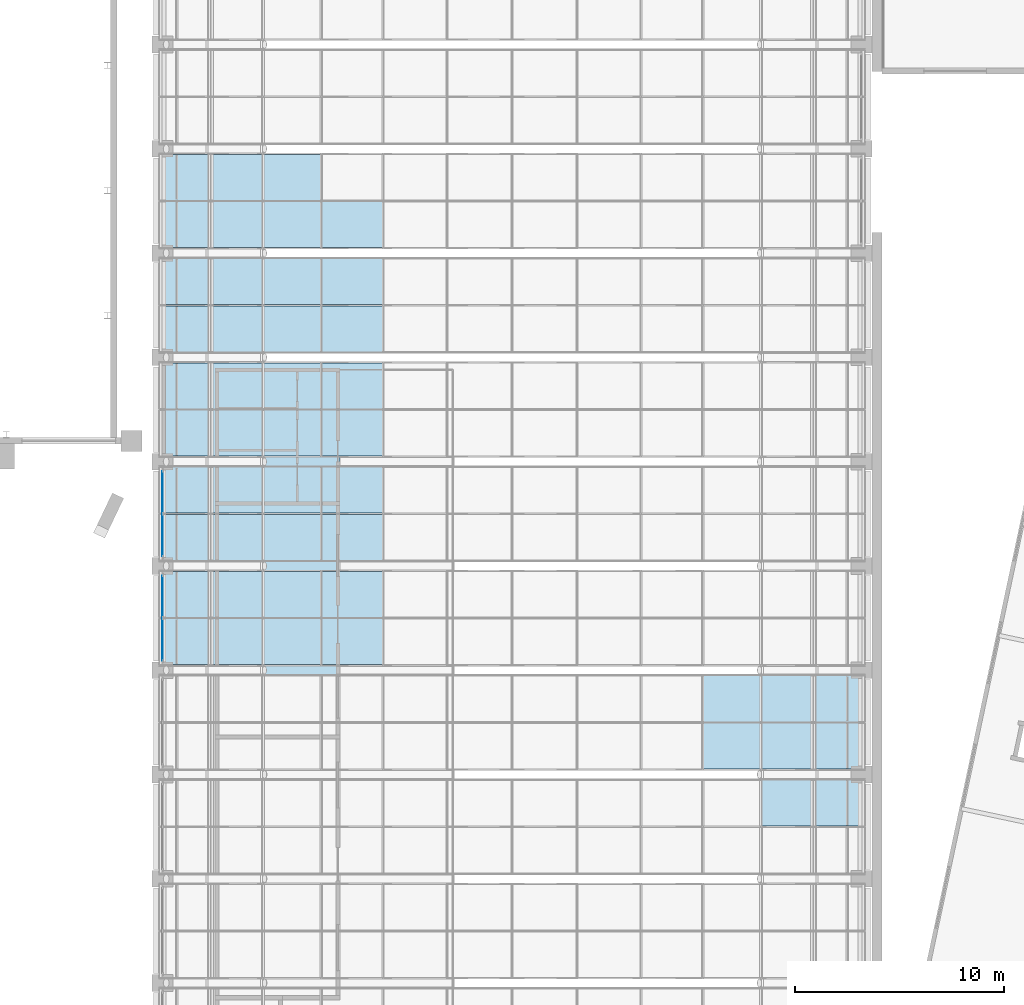
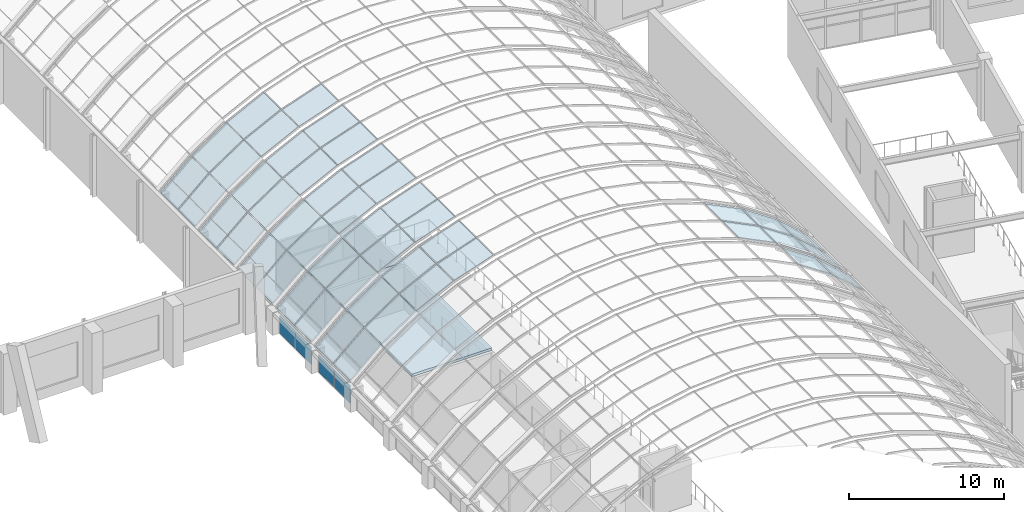
# One storey, part 108 of 182: 51 plates, 2 slabs, 9 elements without a shape of their own.
"""IFC4 building model written with IfcOpenShell, lengths in metres."""

from ifc_helpers import new_model, si_unit, direction, frame, origin, origin_2d, place, context, subcontext, project, spatial, polyline, rectangle, outline, extrude, material, layer, layer_set, type_object, element, aggregate, save


model = new_model("IFC4")

# Units and contexts
model_context = context("Model", 3, precision=1e-05, world=origin(), true_north=direction((0.0, 1.0)))
body_context = subcontext(model_context, "Body", "Model", "MODEL_VIEW")
ifc_project = project(units=[si_unit("LENGTHUNIT", "METRE"), si_unit("AREAUNIT", "SQUARE_METRE"), si_unit("VOLUMEUNIT", "CUBIC_METRE"), si_unit("PLANEANGLEUNIT", "RADIAN"), si_unit("MASSUNIT", "GRAM", prefix="KILO")], contexts=[model_context])

# Site, building, storey
site_placement = place(None, origin())
site = spatial("IfcSite", under=ifc_project, at=site_placement, CompositionType="ELEMENT")
building_placement = place(site_placement, origin())
building = spatial("IfcBuilding", under=site, at=building_placement, Name="Okhra Congress Centre", CompositionType="ELEMENT")
storey_placement = place(building_placement, frame((0.0, 0.0, 7.199951171875)))
storey = spatial("IfcBuildingStorey", under=building, at=storey_placement, Name="L01", CompositionType="ELEMENT", Elevation=7.199951171875)

# Curtain wall, plates
ifc_material_1 = material(Name="Aluminium curtain wall, triple glazing", Category="aluminium")
curtain_wall_type_1 = type_object("IfcCurtainWallType", Name="Curtain wall 2100 module", PredefinedType="NOTDEFINED", material=ifc_material_1)
curtain_wall_1_placement = place(storey_placement, origin())
curtain_wall_1 = element("IfcCurtainWall", 1, at=curtain_wall_1_placement, inside=storey, type_object=curtain_wall_type_1, Name="West bay 10 clerestory glazing", PredefinedType="NOTDEFINED")
ifc_material_2 = material(Name="Triple glazing unit, low-e coating, argon fill", Category="glass")
ifc_layer_1 = layer(ifc_material_2, 0.028076171875)
ifc_layer_set_1 = layer_set([ifc_layer_1], Name="Curtain wall glazing unit 28")
plate_type_1 = type_object("IfcPlateType", Name="Curtain wall glazing unit 28", PredefinedType="CURTAIN_PANEL", material=ifc_layer_set_1)
plate_1_placement = place(storey_placement, frame((155.5, 122.465087890625, 0.06005859375), z_axis=(0.0, 0.0, 1.0), x_axis=(0.0, 1.0, 0.0)))
plate_1 = element("IfcPlate", 2, at=plate_1_placement, type_object=plate_type_1, Name="CW4 panel 1.1", PredefinedType="CURTAIN_PANEL", context=body_context, shape_type="SweptSolid", body=[
    extrude(rectangle(XDim=2.010009765625, YDim=0.028076171875, at=origin_2d()), origin(), (0.0, 0.0, 1.0), 1.3798828125),
])
plate_2_placement = place(storey_placement, frame((155.5, 124.534912109375, 0.06005859375), z_axis=(0.0, 0.0, 1.0), x_axis=(0.0, 1.0, 0.0)))
plate_2 = element("IfcPlate", 3, at=plate_2_placement, type_object=plate_type_1, Name="CW4 panel 2.1", PredefinedType="CURTAIN_PANEL", context=body_context, shape_type="SweptSolid", body=[
    extrude(rectangle(XDim=2.010009765625, YDim=0.028076171875, at=origin_2d()), origin(), (0.0, 0.0, 1.0), 1.3798828125),
])
aggregate(curtain_wall_1, [plate_1, plate_2])

curtain_wall_2_placement = place(storey_placement, origin())
curtain_wall_2 = element("IfcCurtainWall", 4, at=curtain_wall_2_placement, inside=storey, type_object=curtain_wall_type_1, Name="West bay 11 clerestory glazing", PredefinedType="NOTDEFINED")
plate_3_placement = place(storey_placement, frame((155.5, 127.465087890625, 0.06005859375), z_axis=(0.0, 0.0, 1.0), x_axis=(0.0, 1.0, 0.0)))
plate_3 = element("IfcPlate", 5, at=plate_3_placement, type_object=plate_type_1, Name="CW4 panel 1.1", PredefinedType="CURTAIN_PANEL", context=body_context, shape_type="SweptSolid", body=[
    extrude(rectangle(XDim=2.010009765625, YDim=0.028076171875, at=origin_2d()), origin(), (0.0, 0.0, 1.0), 1.3798828125),
])
plate_4_placement = place(storey_placement, frame((155.5, 129.534912109375, 0.06005859375), z_axis=(0.0, 0.0, 1.0), x_axis=(0.0, 1.0, 0.0)))
plate_4 = element("IfcPlate", 6, at=plate_4_placement, type_object=plate_type_1, Name="CW4 panel 2.1", PredefinedType="CURTAIN_PANEL", context=body_context, shape_type="SweptSolid", body=[
    extrude(rectangle(XDim=2.010009765625, YDim=0.028076171875, at=origin_2d()), origin(), (0.0, 0.0, 1.0), 1.3798828125),
])
aggregate(curtain_wall_2, [plate_3, plate_4])

ifc_material_3 = material(Name="Aluminium frame with triple glazing", Category="aluminium")
curtain_wall_type_2 = type_object("IfcCurtainWallType", Name="Glazed vault bay curtain wall", PredefinedType="NOTDEFINED", material=ifc_material_3)
curtain_wall_3_placement = place(storey_placement, origin())
curtain_wall_3 = element("IfcCurtainWall", 7, at=curtain_wall_3_placement, inside=storey, type_object=curtain_wall_type_2, Name="Vault glazing bay 8", PredefinedType="NOTDEFINED")
ifc_material_4 = material(Name="Laminated toughened glass unit, low-e coating", Category="glass")
ifc_layer_2 = layer(ifc_material_4, 0.035888671875)
ifc_layer_set_2 = layer_set([ifc_layer_2], Name="Laminated safety glazing unit 36 mm")
plate_type_2 = type_object("IfcPlateType", Name="Laminated safety glazing unit 36 mm", PredefinedType="CURTAIN_PANEL", material=ifc_layer_set_2)
plate_5_placement = place(storey_placement, frame((184.217529296875, 113.530029296875, 5.729248046875), z_axis=(0.55946738617, 0.0, 0.82885236551), x_axis=(0.82885236551, 0.0, -0.55946738617)))
plate_5 = element("IfcPlate", 8, at=plate_5_placement, type_object=plate_type_2, Name="Vault glass panel 8.2.11", PredefinedType="CURTAIN_PANEL", context=body_context, shape_type="SweptSolid", body=[
    extrude(outline(polyline([(0.0, 0.0), (3.0668817430899797, 0.0), (3.0668817430899797, 2.206787109375), (0.0, 2.206787109375), (0.0, 0.0)])), origin(), (0.0, 0.0, -1.0), 0.035888671875),
])
plate_6_placement = place(storey_placement, frame((186.806640625, 113.530029296875, 3.976806640625), z_axis=(0.663696509452, 0.0, 0.748001967472), x_axis=(0.748001967472, 0.0, -0.663696509452)))
plate_6 = element("IfcPlate", 9, at=plate_6_placement, type_object=plate_type_2, Name="Vault glass panel 8.2.12", PredefinedType="CURTAIN_PANEL", context=body_context, shape_type="SweptSolid", body=[
    extrude(outline(polyline([(0.0, 0.0), (3.066763741617069, 0.0), (3.066763741617069, 2.206787109375), (0.0, 2.206787109375), (0.0, 0.0)])), origin(), (0.0, 0.0, -1.0), 0.035888671875),
])
aggregate(curtain_wall_3, [plate_5, plate_6])

curtain_wall_4_placement = place(storey_placement, origin())
curtain_wall_4 = element("IfcCurtainWall", 10, at=curtain_wall_4_placement, inside=storey, type_object=curtain_wall_type_2, Name="Vault glazing bay 9", PredefinedType="NOTDEFINED")
plate_7_placement = place(storey_placement, frame((184.217529296875, 116.26318359375, 5.729248046875), z_axis=(0.55946738617, 0.0, 0.82885236551), x_axis=(0.82885236551, 0.0, -0.55946738617)))
plate_7 = element("IfcPlate", 11, at=plate_7_placement, type_object=plate_type_2, Name="Vault glass panel 9.1.11", PredefinedType="CURTAIN_PANEL", context=body_context, shape_type="SweptSolid", body=[
    extrude(outline(polyline([(0.0, 0.0), (3.0668817430899797, 0.0), (3.0668817430899797, 2.206787109375), (0.0, 2.206787109375), (0.0, 0.0)])), origin(), (0.0, 0.0, -1.0), 0.035888671875),
])
plate_8_placement = place(storey_placement, frame((186.806640625, 116.26318359375, 3.976806640625), z_axis=(0.663696509452, 0.0, 0.748001967472), x_axis=(0.748001967472, 0.0, -0.663696509452)))
plate_8 = element("IfcPlate", 12, at=plate_8_placement, type_object=plate_type_2, Name="Vault glass panel 9.1.12", PredefinedType="CURTAIN_PANEL", context=body_context, shape_type="SweptSolid", body=[
    extrude(outline(polyline([(0.0, 0.0), (3.066763741617069, 0.0), (3.066763741617069, 2.206787109375), (0.0, 2.206787109375), (0.0, 0.0)])), origin(), (0.0, 0.0, -1.0), 0.035888671875),
])
plate_9_placement = place(storey_placement, frame((184.217529296875, 118.530029296875, 5.729248046875), z_axis=(0.55946738617, 0.0, 0.82885236551), x_axis=(0.82885236551, 0.0, -0.55946738617)))
plate_9 = element("IfcPlate", 13, at=plate_9_placement, type_object=plate_type_2, Name="Vault glass panel 9.2.11", PredefinedType="CURTAIN_PANEL", context=body_context, shape_type="SweptSolid", body=[
    extrude(outline(polyline([(0.0, 0.0), (3.0668817430899797, 0.0), (3.0668817430899797, 2.206787109375), (0.0, 2.206787109375), (0.0, 0.0)])), origin(), (0.0, 0.0, -1.0), 0.035888671875),
])
plate_10_placement = place(storey_placement, frame((186.806640625, 118.530029296875, 3.976806640625), z_axis=(0.663696509452, 0.0, 0.748001967472), x_axis=(0.748001967472, 0.0, -0.663696509452)))
plate_10 = element("IfcPlate", 14, at=plate_10_placement, type_object=plate_type_2, Name="Vault glass panel 9.2.12", PredefinedType="CURTAIN_PANEL", context=body_context, shape_type="SweptSolid", body=[
    extrude(outline(polyline([(0.0, 0.0), (3.066763741617069, 0.0), (3.066763741617069, 2.206787109375), (0.0, 2.206787109375), (0.0, 0.0)])), origin(), (0.0, 0.0, -1.0), 0.035888671875),
])

curtain_wall_5_placement = place(storey_placement, origin())
curtain_wall_5 = element("IfcCurtainWall", 15, at=curtain_wall_5_placement, inside=storey, type_object=curtain_wall_type_2, Name="Vault glazing bay 10", PredefinedType="NOTDEFINED")
plate_11_placement = place(storey_placement, frame((155.3994140625, 121.26318359375, 1.94140625), z_axis=(-0.663696509452, 0.0, 0.748001967472), x_axis=(0.748001967472, 0.0, 0.663696509452)))
plate_11 = element("IfcPlate", 16, at=plate_11_placement, type_object=plate_type_2, Name="Vault glass panel 10.1.1", PredefinedType="CURTAIN_PANEL", context=body_context, shape_type="SweptSolid", body=[
    extrude(outline(polyline([(0.0, 0.0), (3.066763741617069, 0.0), (3.066763741617069, 2.206787109375), (0.0, 2.206787109375), (0.0, 0.0)])), origin(), (0.0, 0.0, -1.0), 0.035888671875),
])
plate_12_placement = place(storey_placement, frame((157.740478515625, 121.26318359375, 4.013427734375), z_axis=(-0.55946738617, 0.0, 0.82885236551), x_axis=(0.82885236551, 0.0, 0.55946738617)))
plate_12 = element("IfcPlate", 17, at=plate_12_placement, type_object=plate_type_2, Name="Vault glass panel 10.1.2", PredefinedType="CURTAIN_PANEL", context=body_context, shape_type="SweptSolid", body=[
    extrude(outline(polyline([(0.0, 0.0), (3.0668817430899797, 0.0), (3.0668817430899797, 2.206787109375), (0.0, 2.206787109375), (0.0, 0.0)])), origin(), (0.0, 0.0, -1.0), 0.035888671875),
])
plate_13_placement = place(storey_placement, frame((155.3994140625, 123.530029296875, 1.94140625), z_axis=(-0.663696509452, 0.0, 0.748001967472), x_axis=(0.748001967472, 0.0, 0.663696509452)))
plate_13 = element("IfcPlate", 18, at=plate_13_placement, type_object=plate_type_2, Name="Vault glass panel 10.2.1", PredefinedType="CURTAIN_PANEL", context=body_context, shape_type="SweptSolid", body=[
    extrude(outline(polyline([(0.0, 0.0), (3.066763741617069, 0.0), (3.066763741617069, 2.206787109375), (0.0, 2.206787109375), (0.0, 0.0)])), origin(), (0.0, 0.0, -1.0), 0.035888671875),
])
plate_14_placement = place(storey_placement, frame((157.740478515625, 123.530029296875, 4.013427734375), z_axis=(-0.55946738617, 0.0, 0.82885236551), x_axis=(0.82885236551, 0.0, 0.55946738617)))
plate_14 = element("IfcPlate", 19, at=plate_14_placement, type_object=plate_type_2, Name="Vault glass panel 10.2.2", PredefinedType="CURTAIN_PANEL", context=body_context, shape_type="SweptSolid", body=[
    extrude(outline(polyline([(0.0, 0.0), (3.0668817430899797, 0.0), (3.0668817430899797, 2.206787109375), (0.0, 2.206787109375), (0.0, 0.0)])), origin(), (0.0, 0.0, -1.0), 0.035888671875),
])

curtain_wall_6_placement = place(storey_placement, origin())
curtain_wall_6 = element("IfcCurtainWall", 20, at=curtain_wall_6_placement, inside=storey, type_object=curtain_wall_type_2, Name="Vault glazing bay 11", PredefinedType="NOTDEFINED")
plate_15_placement = place(storey_placement, frame((155.3994140625, 126.26318359375, 1.94140625), z_axis=(-0.663696509452, 0.0, 0.748001967472), x_axis=(0.748001967472, 0.0, 0.663696509452)))
plate_15 = element("IfcPlate", 21, at=plate_15_placement, type_object=plate_type_2, Name="Vault glass panel 11.1.1", PredefinedType="CURTAIN_PANEL", context=body_context, shape_type="SweptSolid", body=[
    extrude(outline(polyline([(0.0, 0.0), (3.066763741617069, 0.0), (3.066763741617069, 2.206787109375), (0.0, 2.206787109375), (0.0, 0.0)])), origin(), (0.0, 0.0, -1.0), 0.035888671875),
])
plate_16_placement = place(storey_placement, frame((157.740478515625, 126.26318359375, 4.013427734375), z_axis=(-0.55946738617, 0.0, 0.82885236551), x_axis=(0.82885236551, 0.0, 0.55946738617)))
plate_16 = element("IfcPlate", 22, at=plate_16_placement, type_object=plate_type_2, Name="Vault glass panel 11.1.2", PredefinedType="CURTAIN_PANEL", context=body_context, shape_type="SweptSolid", body=[
    extrude(outline(polyline([(0.0, 0.0), (3.0668817430899797, 0.0), (3.0668817430899797, 2.206787109375), (0.0, 2.206787109375), (0.0, 0.0)])), origin(), (0.0, 0.0, -1.0), 0.035888671875),
])
plate_17_placement = place(storey_placement, frame((155.3994140625, 128.530029296875, 1.94140625), z_axis=(-0.663696509452, 0.0, 0.748001967472), x_axis=(0.748001967472, 0.0, 0.663696509452)))
plate_17 = element("IfcPlate", 23, at=plate_17_placement, type_object=plate_type_2, Name="Vault glass panel 11.2.1", PredefinedType="CURTAIN_PANEL", context=body_context, shape_type="SweptSolid", body=[
    extrude(outline(polyline([(0.0, 0.0), (3.066763741617069, 0.0), (3.066763741617069, 2.206787109375), (0.0, 2.206787109375), (0.0, 0.0)])), origin(), (0.0, 0.0, -1.0), 0.035888671875),
])
plate_18_placement = place(storey_placement, frame((157.740478515625, 128.530029296875, 4.013427734375), z_axis=(-0.55946738617, 0.0, 0.82885236551), x_axis=(0.82885236551, 0.0, 0.55946738617)))
plate_18 = element("IfcPlate", 24, at=plate_18_placement, type_object=plate_type_2, Name="Vault glass panel 11.2.2", PredefinedType="CURTAIN_PANEL", context=body_context, shape_type="SweptSolid", body=[
    extrude(outline(polyline([(0.0, 0.0), (3.0668817430899797, 0.0), (3.0668817430899797, 2.206787109375), (0.0, 2.206787109375), (0.0, 0.0)])), origin(), (0.0, 0.0, -1.0), 0.035888671875),
])

curtain_wall_7_placement = place(storey_placement, origin())
curtain_wall_7 = element("IfcCurtainWall", 25, at=curtain_wall_7_placement, inside=storey, type_object=curtain_wall_type_2, Name="Vault glazing bay 12", PredefinedType="NOTDEFINED")
plate_19_placement = place(storey_placement, frame((155.3994140625, 131.26318359375, 1.94140625), z_axis=(-0.663696509452, 0.0, 0.748001967472), x_axis=(0.748001967472, 0.0, 0.663696509452)))
plate_19 = element("IfcPlate", 26, at=plate_19_placement, type_object=plate_type_2, Name="Vault glass panel 12.1.1", PredefinedType="CURTAIN_PANEL", context=body_context, shape_type="SweptSolid", body=[
    extrude(outline(polyline([(0.0, 0.0), (3.066763741617069, 0.0), (3.066763741617069, 2.206787109375), (0.0, 2.206787109375), (0.0, 0.0)])), origin(), (0.0, 0.0, -1.0), 0.035888671875),
])
plate_20_placement = place(storey_placement, frame((157.740478515625, 131.26318359375, 4.013427734375), z_axis=(-0.55946738617, 0.0, 0.82885236551), x_axis=(0.82885236551, 0.0, 0.55946738617)))
plate_20 = element("IfcPlate", 27, at=plate_20_placement, type_object=plate_type_2, Name="Vault glass panel 12.1.2", PredefinedType="CURTAIN_PANEL", context=body_context, shape_type="SweptSolid", body=[
    extrude(outline(polyline([(0.0, 0.0), (3.0668817430899797, 0.0), (3.0668817430899797, 2.206787109375), (0.0, 2.206787109375), (0.0, 0.0)])), origin(), (0.0, 0.0, -1.0), 0.035888671875),
])
plate_21_placement = place(storey_placement, frame((155.3994140625, 133.530029296875, 1.94140625), z_axis=(-0.663696509452, 0.0, 0.748001967472), x_axis=(0.748001967472, 0.0, 0.663696509452)))
plate_21 = element("IfcPlate", 28, at=plate_21_placement, type_object=plate_type_2, Name="Vault glass panel 12.2.1", PredefinedType="CURTAIN_PANEL", context=body_context, shape_type="SweptSolid", body=[
    extrude(outline(polyline([(0.0, 0.0), (3.066763741617069, 0.0), (3.066763741617069, 2.206787109375), (0.0, 2.206787109375), (0.0, 0.0)])), origin(), (0.0, 0.0, -1.0), 0.035888671875),
])
plate_22_placement = place(storey_placement, frame((157.740478515625, 133.530029296875, 4.013427734375), z_axis=(-0.55946738617, 0.0, 0.82885236551), x_axis=(0.82885236551, 0.0, 0.55946738617)))
plate_22 = element("IfcPlate", 29, at=plate_22_placement, type_object=plate_type_2, Name="Vault glass panel 12.2.2", PredefinedType="CURTAIN_PANEL", context=body_context, shape_type="SweptSolid", body=[
    extrude(outline(polyline([(0.0, 0.0), (3.0668817430899797, 0.0), (3.0668817430899797, 2.206787109375), (0.0, 2.206787109375), (0.0, 0.0)])), origin(), (0.0, 0.0, -1.0), 0.035888671875),
])

curtain_wall_8_placement = place(storey_placement, origin())
curtain_wall_8 = element("IfcCurtainWall", 30, at=curtain_wall_8_placement, inside=storey, type_object=curtain_wall_type_2, Name="Vault glazing bay 13", PredefinedType="NOTDEFINED")
plate_23_placement = place(storey_placement, frame((155.3994140625, 136.26318359375, 1.94140625), z_axis=(-0.663696509452, 0.0, 0.748001967472), x_axis=(0.748001967472, 0.0, 0.663696509452)))
plate_23 = element("IfcPlate", 31, at=plate_23_placement, type_object=plate_type_2, Name="Vault glass panel 13.1.1", PredefinedType="CURTAIN_PANEL", context=body_context, shape_type="SweptSolid", body=[
    extrude(outline(polyline([(0.0, 0.0), (3.066763741617069, 0.0), (3.066763741617069, 2.206787109375), (0.0, 2.206787109375), (0.0, 0.0)])), origin(), (0.0, 0.0, -1.0), 0.035888671875),
])
plate_24_placement = place(storey_placement, frame((157.740478515625, 136.26318359375, 4.013427734375), z_axis=(-0.55946738617, 0.0, 0.82885236551), x_axis=(0.82885236551, 0.0, 0.55946738617)))
plate_24 = element("IfcPlate", 32, at=plate_24_placement, type_object=plate_type_2, Name="Vault glass panel 13.1.2", PredefinedType="CURTAIN_PANEL", context=body_context, shape_type="SweptSolid", body=[
    extrude(outline(polyline([(0.0, 0.0), (3.0668817430899797, 0.0), (3.0668817430899797, 2.206787109375), (0.0, 2.206787109375), (0.0, 0.0)])), origin(), (0.0, 0.0, -1.0), 0.035888671875),
])
plate_25_placement = place(storey_placement, frame((155.3994140625, 138.530029296875, 1.94140625), z_axis=(-0.663696509452, 0.0, 0.748001967472), x_axis=(0.748001967472, 0.0, 0.663696509452)))
plate_25 = element("IfcPlate", 33, at=plate_25_placement, type_object=plate_type_2, Name="Vault glass panel 13.2.1", PredefinedType="CURTAIN_PANEL", context=body_context, shape_type="SweptSolid", body=[
    extrude(outline(polyline([(0.0, 0.0), (3.066763741617069, 0.0), (3.066763741617069, 2.206787109375), (0.0, 2.206787109375), (0.0, 0.0)])), origin(), (0.0, 0.0, -1.0), 0.035888671875),
])
plate_26_placement = place(storey_placement, frame((157.740478515625, 138.530029296875, 4.013427734375), z_axis=(-0.55946738617, 0.0, 0.82885236551), x_axis=(0.82885236551, 0.0, 0.55946738617)))
plate_26 = element("IfcPlate", 34, at=plate_26_placement, type_object=plate_type_2, Name="Vault glass panel 13.2.2", PredefinedType="CURTAIN_PANEL", context=body_context, shape_type="SweptSolid", body=[
    extrude(outline(polyline([(0.0, 0.0), (3.0668817430899797, 0.0), (3.0668817430899797, 2.206787109375), (0.0, 2.206787109375), (0.0, 0.0)])), origin(), (0.0, 0.0, -1.0), 0.035888671875),
])

curtain_wall_9_placement = place(storey_placement, origin())
curtain_wall_9 = element("IfcCurtainWall", 35, at=curtain_wall_9_placement, inside=storey, type_object=curtain_wall_type_2, Name="Vault glazing bay 14", PredefinedType="NOTDEFINED")
plate_27_placement = place(storey_placement, frame((155.3994140625, 141.26318359375, 1.94140625), z_axis=(-0.663696509452, 0.0, 0.748001967472), x_axis=(0.748001967472, 0.0, 0.663696509452)))
plate_27 = element("IfcPlate", 36, at=plate_27_placement, type_object=plate_type_2, Name="Vault glass panel 14.1.1", PredefinedType="CURTAIN_PANEL", context=body_context, shape_type="SweptSolid", body=[
    extrude(outline(polyline([(0.0, 0.0), (3.066763741617069, 0.0), (3.066763741617069, 2.206787109375), (0.0, 2.206787109375), (0.0, 0.0)])), origin(), (0.0, 0.0, -1.0), 0.035888671875),
])
plate_28_placement = place(storey_placement, frame((157.740478515625, 141.26318359375, 4.013427734375), z_axis=(-0.55946738617, 0.0, 0.82885236551), x_axis=(0.82885236551, 0.0, 0.55946738617)))
plate_28 = element("IfcPlate", 37, at=plate_28_placement, type_object=plate_type_2, Name="Vault glass panel 14.1.2", PredefinedType="CURTAIN_PANEL", context=body_context, shape_type="SweptSolid", body=[
    extrude(outline(polyline([(0.0, 0.0), (3.0668817430899797, 0.0), (3.0668817430899797, 2.206787109375), (0.0, 2.206787109375), (0.0, 0.0)])), origin(), (0.0, 0.0, -1.0), 0.035888671875),
])
plate_29_placement = place(storey_placement, frame((155.3994140625, 143.530029296875, 1.94140625), z_axis=(-0.663696509452, 0.0, 0.748001967472), x_axis=(0.748001967472, 0.0, 0.663696509452)))
plate_29 = element("IfcPlate", 38, at=plate_29_placement, type_object=plate_type_2, Name="Vault glass panel 14.2.1", PredefinedType="CURTAIN_PANEL", context=body_context, shape_type="SweptSolid", body=[
    extrude(outline(polyline([(0.0, 0.0), (3.066763741617069, 0.0), (3.066763741617069, 2.206787109375), (0.0, 2.206787109375), (0.0, 0.0)])), origin(), (0.0, 0.0, -1.0), 0.035888671875),
])
plate_30_placement = place(storey_placement, frame((157.740478515625, 143.530029296875, 4.013427734375), z_axis=(-0.55946738617, 0.0, 0.82885236551), x_axis=(0.82885236551, 0.0, 0.55946738617)))
plate_30 = element("IfcPlate", 39, at=plate_30_placement, type_object=plate_type_2, Name="Vault glass panel 14.2.2", PredefinedType="CURTAIN_PANEL", context=body_context, shape_type="SweptSolid", body=[
    extrude(outline(polyline([(0.0, 0.0), (3.0668817430899797, 0.0), (3.0668817430899797, 2.206787109375), (0.0, 2.206787109375), (0.0, 0.0)])), origin(), (0.0, 0.0, -1.0), 0.035888671875),
])

# Slabs
ifc_material_5 = material(Name="Concrete C30/37", Category="concrete")
ifc_layer_3 = layer(ifc_material_5, 0.199951171875)
ifc_layer_set_3 = layer_set([ifc_layer_3], Name="RC roof slab 200 C30/37")
slab_type = type_object("IfcSlabType", Name="RC roof slab 200 C30/37", PredefinedType="ROOF", material=ifc_layer_set_3)
slab_1_placement = place(storey_placement, frame((0.0, 0.0, 3.400146484375)))
element("IfcSlab", 40, at=slab_1_placement, inside=storey, type_object=slab_type, Name="Delegates' Lounge ceiling slab", PredefinedType="ROOF", context=body_context, shape_type="SweptSolid", body=[
    extrude(outline(polyline([(158.0, 117.89990234375), (164.0, 117.89990234375), (164.0, 129.10009765625), (158.0, 129.10009765625), (158.0, 117.89990234375)])), origin(), (0.0, 0.0, 1.0), 0.199951171875),
])
slab_2_placement = place(storey_placement, frame((0.0, 0.0, 3.400146484375)))
element("IfcSlab", 41, at=slab_2_placement, inside=storey, type_object=slab_type, Name="Gallery toilets ceiling slab", PredefinedType="ROOF", context=body_context, shape_type="SweptSolid", body=[
    extrude(outline(polyline([(158.0, 129.10009765625), (164.0, 129.10009765625), (164.0, 135.5), (158.0, 135.5), (158.0, 129.10009765625)])), origin(), (0.0, 0.0, 1.0), 0.199951171875),
])

# Plate
ifc_material_6 = material(Name="Toughened triple glazed unit")
ifc_layer_4 = layer(ifc_material_6, 0.028076171875)
ifc_layer_set_4 = layer_set([ifc_layer_4], Name="Triple glazed unit 28 mm")
plate_type_3 = type_object("IfcPlateType", Name="Triple glazed unit 28 mm", PredefinedType="CURTAIN_PANEL", material=ifc_layer_set_4)
plate_31_placement = place(storey_placement, frame((181.4189453125, 116.26318359375, 7.122314453125), z_axis=(0.445588482535, 0.0, 0.895237903706), x_axis=(0.895237903706, 0.0, -0.445588482535)))
plate_31 = element("IfcPlate", 42, at=plate_31_placement, type_object=plate_type_3, Name="Vault glass panel 9.1.10", PredefinedType="CURTAIN_PANEL", context=body_context, shape_type="SweptSolid", body=[
    extrude(outline(polyline([(0.0, 0.0), (3.066082250887193, 0.0), (3.066082250887193, 2.206787109375), (0.0, 2.206787109375), (0.0, 0.0)])), origin(), (0.0, 0.0, -1.0), 0.028076171875),
])

plate_32_placement = place(storey_placement, frame((181.4189453125, 118.530029296875, 7.122314453125), z_axis=(0.445588482535, 0.0, 0.895237903706), x_axis=(0.895237903706, 0.0, -0.445588482535)))
plate_32 = element("IfcPlate", 43, at=plate_32_placement, type_object=plate_type_3, Name="Vault glass panel 9.2.10", PredefinedType="CURTAIN_PANEL", context=body_context, shape_type="SweptSolid", body=[
    extrude(outline(polyline([(0.0, 0.0), (3.066082250887193, 0.0), (3.066082250887193, 2.206787109375), (0.0, 2.206787109375), (0.0, 0.0)])), origin(), (0.0, 0.0, -1.0), 0.028076171875),
])

aggregate(curtain_wall_4, [plate_31, plate_7, plate_8, plate_32, plate_9, plate_10])

plate_33_placement = place(storey_placement, frame((160.336181640625, 121.26318359375, 5.756103515625), z_axis=(-0.445588482535, 0.0, 0.895237903706), x_axis=(0.895237903706, 0.0, 0.445588482535)))
plate_33 = element("IfcPlate", 44, at=plate_33_placement, type_object=plate_type_3, Name="Vault glass panel 10.1.3", PredefinedType="CURTAIN_PANEL", context=body_context, shape_type="SweptSolid", body=[
    extrude(outline(polyline([(0.0, 0.0), (3.066082250887193, 0.0), (3.066082250887193, 2.206787109375), (0.0, 2.206787109375), (0.0, 0.0)])), origin(), (0.0, 0.0, -1.0), 0.028076171875),
])

plate_34_placement = place(storey_placement, frame((163.13623046875, 121.26318359375, 7.145263671875), z_axis=(-0.323909017048, 0.0, 0.946088235143), x_axis=(0.946088235143, 0.0, 0.323909017048)))
plate_34 = element("IfcPlate", 45, at=plate_34_placement, type_object=plate_type_3, Name="Vault glass panel 10.1.4", PredefinedType="CURTAIN_PANEL", context=body_context, shape_type="SweptSolid", body=[
    extrude(outline(polyline([(0.0, 0.0), (3.0661822000278622, 0.0), (3.0661822000278622, 2.2067871093750004), (0.0, 2.2067871093750004), (0.0, 0.0)])), origin(), (0.0, 0.0, -1.0), 0.028076171875),
])

plate_35_placement = place(storey_placement, frame((160.336181640625, 123.530029296875, 5.756103515625), z_axis=(-0.445588482535, 0.0, 0.895237903706), x_axis=(0.895237903706, 0.0, 0.445588482535)))
plate_35 = element("IfcPlate", 46, at=plate_35_placement, type_object=plate_type_3, Name="Vault glass panel 10.2.3", PredefinedType="CURTAIN_PANEL", context=body_context, shape_type="SweptSolid", body=[
    extrude(outline(polyline([(0.0, 0.0), (3.066082250887193, 0.0), (3.066082250887193, 2.206787109375), (0.0, 2.206787109375), (0.0, 0.0)])), origin(), (0.0, 0.0, -1.0), 0.028076171875),
])

plate_36_placement = place(storey_placement, frame((163.13623046875, 123.530029296875, 7.145263671875), z_axis=(-0.323909017048, 0.0, 0.946088235143), x_axis=(0.946088235143, 0.0, 0.323909017048)))
plate_36 = element("IfcPlate", 47, at=plate_36_placement, type_object=plate_type_3, Name="Vault glass panel 10.2.4", PredefinedType="CURTAIN_PANEL", context=body_context, shape_type="SweptSolid", body=[
    extrude(outline(polyline([(0.0, 0.0), (3.0661822000278622, 0.0), (3.0661822000278622, 2.2067871093750004), (0.0, 2.2067871093750004), (0.0, 0.0)])), origin(), (0.0, 0.0, -1.0), 0.028076171875),
])

aggregate(curtain_wall_5, [plate_11, plate_12, plate_33, plate_34, plate_13, plate_14, plate_35, plate_36])

plate_37_placement = place(storey_placement, frame((160.336181640625, 126.26318359375, 5.756103515625), z_axis=(-0.445588482535, 0.0, 0.895237903706), x_axis=(0.895237903706, 0.0, 0.445588482535)))
plate_37 = element("IfcPlate", 48, at=plate_37_placement, type_object=plate_type_3, Name="Vault glass panel 11.1.3", PredefinedType="CURTAIN_PANEL", context=body_context, shape_type="SweptSolid", body=[
    extrude(outline(polyline([(0.0, 0.0), (3.066082250887193, 0.0), (3.066082250887193, 2.206787109375), (0.0, 2.206787109375), (0.0, 0.0)])), origin(), (0.0, 0.0, -1.0), 0.028076171875),
])

plate_38_placement = place(storey_placement, frame((163.13623046875, 126.26318359375, 7.145263671875), z_axis=(-0.323909017048, 0.0, 0.946088235143), x_axis=(0.946088235143, 0.0, 0.323909017048)))
plate_38 = element("IfcPlate", 49, at=plate_38_placement, type_object=plate_type_3, Name="Vault glass panel 11.1.4", PredefinedType="CURTAIN_PANEL", context=body_context, shape_type="SweptSolid", body=[
    extrude(outline(polyline([(0.0, 0.0), (3.0661822000278622, 0.0), (3.0661822000278622, 2.2067871093750004), (0.0, 2.2067871093750004), (0.0, 0.0)])), origin(), (0.0, 0.0, -1.0), 0.028076171875),
])

plate_39_placement = place(storey_placement, frame((160.336181640625, 128.530029296875, 5.756103515625), z_axis=(-0.445588482535, 0.0, 0.895237903706), x_axis=(0.895237903706, 0.0, 0.445588482535)))
plate_39 = element("IfcPlate", 50, at=plate_39_placement, type_object=plate_type_3, Name="Vault glass panel 11.2.3", PredefinedType="CURTAIN_PANEL", context=body_context, shape_type="SweptSolid", body=[
    extrude(outline(polyline([(0.0, 0.0), (3.066082250887193, 0.0), (3.066082250887193, 2.206787109375), (0.0, 2.206787109375), (0.0, 0.0)])), origin(), (0.0, 0.0, -1.0), 0.028076171875),
])

plate_40_placement = place(storey_placement, frame((163.13623046875, 128.530029296875, 7.145263671875), z_axis=(-0.323909017048, 0.0, 0.946088235143), x_axis=(0.946088235143, 0.0, 0.323909017048)))
plate_40 = element("IfcPlate", 51, at=plate_40_placement, type_object=plate_type_3, Name="Vault glass panel 11.2.4", PredefinedType="CURTAIN_PANEL", context=body_context, shape_type="SweptSolid", body=[
    extrude(outline(polyline([(0.0, 0.0), (3.0661822000278622, 0.0), (3.0661822000278622, 2.2067871093750004), (0.0, 2.2067871093750004), (0.0, 0.0)])), origin(), (0.0, 0.0, -1.0), 0.028076171875),
])

aggregate(curtain_wall_6, [plate_15, plate_16, plate_37, plate_38, plate_17, plate_18, plate_39, plate_40])

plate_41_placement = place(storey_placement, frame((160.336181640625, 131.26318359375, 5.756103515625), z_axis=(-0.445588482535, 0.0, 0.895237903706), x_axis=(0.895237903706, 0.0, 0.445588482535)))
plate_41 = element("IfcPlate", 52, at=plate_41_placement, type_object=plate_type_3, Name="Vault glass panel 12.1.3", PredefinedType="CURTAIN_PANEL", context=body_context, shape_type="SweptSolid", body=[
    extrude(outline(polyline([(0.0, 0.0), (3.066082250887193, 0.0), (3.066082250887193, 2.206787109375), (0.0, 2.206787109375), (0.0, 0.0)])), origin(), (0.0, 0.0, -1.0), 0.028076171875),
])

plate_42_placement = place(storey_placement, frame((163.13623046875, 131.26318359375, 7.145263671875), z_axis=(-0.323909017048, 0.0, 0.946088235143), x_axis=(0.946088235143, 0.0, 0.323909017048)))
plate_42 = element("IfcPlate", 53, at=plate_42_placement, type_object=plate_type_3, Name="Vault glass panel 12.1.4", PredefinedType="CURTAIN_PANEL", context=body_context, shape_type="SweptSolid", body=[
    extrude(outline(polyline([(0.0, 0.0), (3.0661822000278622, 0.0), (3.0661822000278622, 2.2067871093750004), (0.0, 2.2067871093750004), (0.0, 0.0)])), origin(), (0.0, 0.0, -1.0), 0.028076171875),
])

plate_43_placement = place(storey_placement, frame((160.336181640625, 133.530029296875, 5.756103515625), z_axis=(-0.445588482535, 0.0, 0.895237903706), x_axis=(0.895237903706, 0.0, 0.445588482535)))
plate_43 = element("IfcPlate", 54, at=plate_43_placement, type_object=plate_type_3, Name="Vault glass panel 12.2.3", PredefinedType="CURTAIN_PANEL", context=body_context, shape_type="SweptSolid", body=[
    extrude(outline(polyline([(0.0, 0.0), (3.066082250887193, 0.0), (3.066082250887193, 2.206787109375), (0.0, 2.206787109375), (0.0, 0.0)])), origin(), (0.0, 0.0, -1.0), 0.028076171875),
])

plate_44_placement = place(storey_placement, frame((163.13623046875, 133.530029296875, 7.145263671875), z_axis=(-0.323909017048, 0.0, 0.946088235143), x_axis=(0.946088235143, 0.0, 0.323909017048)))
plate_44 = element("IfcPlate", 55, at=plate_44_placement, type_object=plate_type_3, Name="Vault glass panel 12.2.4", PredefinedType="CURTAIN_PANEL", context=body_context, shape_type="SweptSolid", body=[
    extrude(outline(polyline([(0.0, 0.0), (3.0661822000278622, 0.0), (3.0661822000278622, 2.2067871093750004), (0.0, 2.2067871093750004), (0.0, 0.0)])), origin(), (0.0, 0.0, -1.0), 0.028076171875),
])

aggregate(curtain_wall_7, [plate_19, plate_20, plate_41, plate_42, plate_21, plate_22, plate_43, plate_44])

plate_45_placement = place(storey_placement, frame((160.336181640625, 136.26318359375, 5.756103515625), z_axis=(-0.445588482535, 0.0, 0.895237903706), x_axis=(0.895237903706, 0.0, 0.445588482535)))
plate_45 = element("IfcPlate", 56, at=plate_45_placement, type_object=plate_type_3, Name="Vault glass panel 13.1.3", PredefinedType="CURTAIN_PANEL", context=body_context, shape_type="SweptSolid", body=[
    extrude(outline(polyline([(0.0, 0.0), (3.066082250887193, 0.0), (3.066082250887193, 2.206787109375), (0.0, 2.206787109375), (0.0, 0.0)])), origin(), (0.0, 0.0, -1.0), 0.028076171875),
])

plate_46_placement = place(storey_placement, frame((163.13623046875, 136.26318359375, 7.145263671875), z_axis=(-0.323909017048, 0.0, 0.946088235143), x_axis=(0.946088235143, 0.0, 0.323909017048)))
plate_46 = element("IfcPlate", 57, at=plate_46_placement, type_object=plate_type_3, Name="Vault glass panel 13.1.4", PredefinedType="CURTAIN_PANEL", context=body_context, shape_type="SweptSolid", body=[
    extrude(outline(polyline([(0.0, 0.0), (3.0661822000278622, 0.0), (3.0661822000278622, 2.2067871093750004), (0.0, 2.2067871093750004), (0.0, 0.0)])), origin(), (0.0, 0.0, -1.0), 0.028076171875),
])

plate_47_placement = place(storey_placement, frame((160.336181640625, 138.530029296875, 5.756103515625), z_axis=(-0.445588482535, 0.0, 0.895237903706), x_axis=(0.895237903706, 0.0, 0.445588482535)))
plate_47 = element("IfcPlate", 58, at=plate_47_placement, type_object=plate_type_3, Name="Vault glass panel 13.2.3", PredefinedType="CURTAIN_PANEL", context=body_context, shape_type="SweptSolid", body=[
    extrude(outline(polyline([(0.0, 0.0), (3.066082250887193, 0.0), (3.066082250887193, 2.206787109375), (0.0, 2.206787109375), (0.0, 0.0)])), origin(), (0.0, 0.0, -1.0), 0.028076171875),
])

plate_48_placement = place(storey_placement, frame((163.13623046875, 138.530029296875, 7.145263671875), z_axis=(-0.323909017048, 0.0, 0.946088235143), x_axis=(0.946088235143, 0.0, 0.323909017048)))
plate_48 = element("IfcPlate", 59, at=plate_48_placement, type_object=plate_type_3, Name="Vault glass panel 13.2.4", PredefinedType="CURTAIN_PANEL", context=body_context, shape_type="SweptSolid", body=[
    extrude(outline(polyline([(0.0, 0.0), (3.0661822000278622, 0.0), (3.0661822000278622, 2.2067871093750004), (0.0, 2.2067871093750004), (0.0, 0.0)])), origin(), (0.0, 0.0, -1.0), 0.028076171875),
])

aggregate(curtain_wall_8, [plate_23, plate_24, plate_45, plate_46, plate_25, plate_26, plate_47, plate_48])

plate_49_placement = place(storey_placement, frame((160.336181640625, 141.26318359375, 5.756103515625), z_axis=(-0.445588482535, 0.0, 0.895237903706), x_axis=(0.895237903706, 0.0, 0.445588482535)))
plate_49 = element("IfcPlate", 60, at=plate_49_placement, type_object=plate_type_3, Name="Vault glass panel 14.1.3", PredefinedType="CURTAIN_PANEL", context=body_context, shape_type="SweptSolid", body=[
    extrude(outline(polyline([(0.0, 0.0), (3.066082250887193, 0.0), (3.066082250887193, 2.206787109375), (0.0, 2.206787109375), (0.0, 0.0)])), origin(), (0.0, 0.0, -1.0), 0.028076171875),
])

plate_50_placement = place(storey_placement, frame((163.13623046875, 141.26318359375, 7.145263671875), z_axis=(-0.323909017048, 0.0, 0.946088235143), x_axis=(0.946088235143, 0.0, 0.323909017048)))
plate_50 = element("IfcPlate", 61, at=plate_50_placement, type_object=plate_type_3, Name="Vault glass panel 14.1.4", PredefinedType="CURTAIN_PANEL", context=body_context, shape_type="SweptSolid", body=[
    extrude(outline(polyline([(0.0, 0.0), (3.0661822000278622, 0.0), (3.0661822000278622, 2.2067871093750004), (0.0, 2.2067871093750004), (0.0, 0.0)])), origin(), (0.0, 0.0, -1.0), 0.028076171875),
])

plate_51_placement = place(storey_placement, frame((160.336181640625, 143.530029296875, 5.756103515625), z_axis=(-0.445588482535, 0.0, 0.895237903706), x_axis=(0.895237903706, 0.0, 0.445588482535)))
plate_51 = element("IfcPlate", 62, at=plate_51_placement, type_object=plate_type_3, Name="Vault glass panel 14.2.3", PredefinedType="CURTAIN_PANEL", context=body_context, shape_type="SweptSolid", body=[
    extrude(outline(polyline([(0.0, 0.0), (3.066082250887193, 0.0), (3.066082250887193, 2.206787109375), (0.0, 2.206787109375), (0.0, 0.0)])), origin(), (0.0, 0.0, -1.0), 0.028076171875),
])

aggregate(curtain_wall_9, [plate_27, plate_28, plate_49, plate_50, plate_29, plate_30, plate_51])

save(model, "model.ifc")
